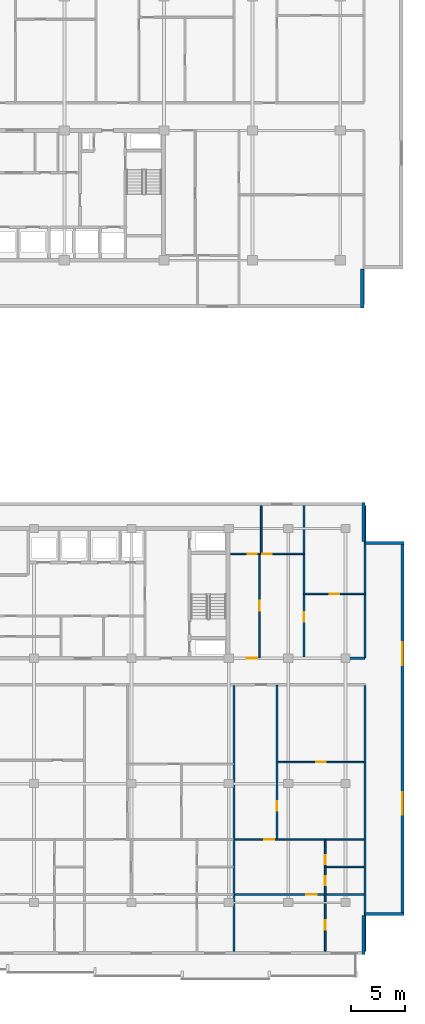
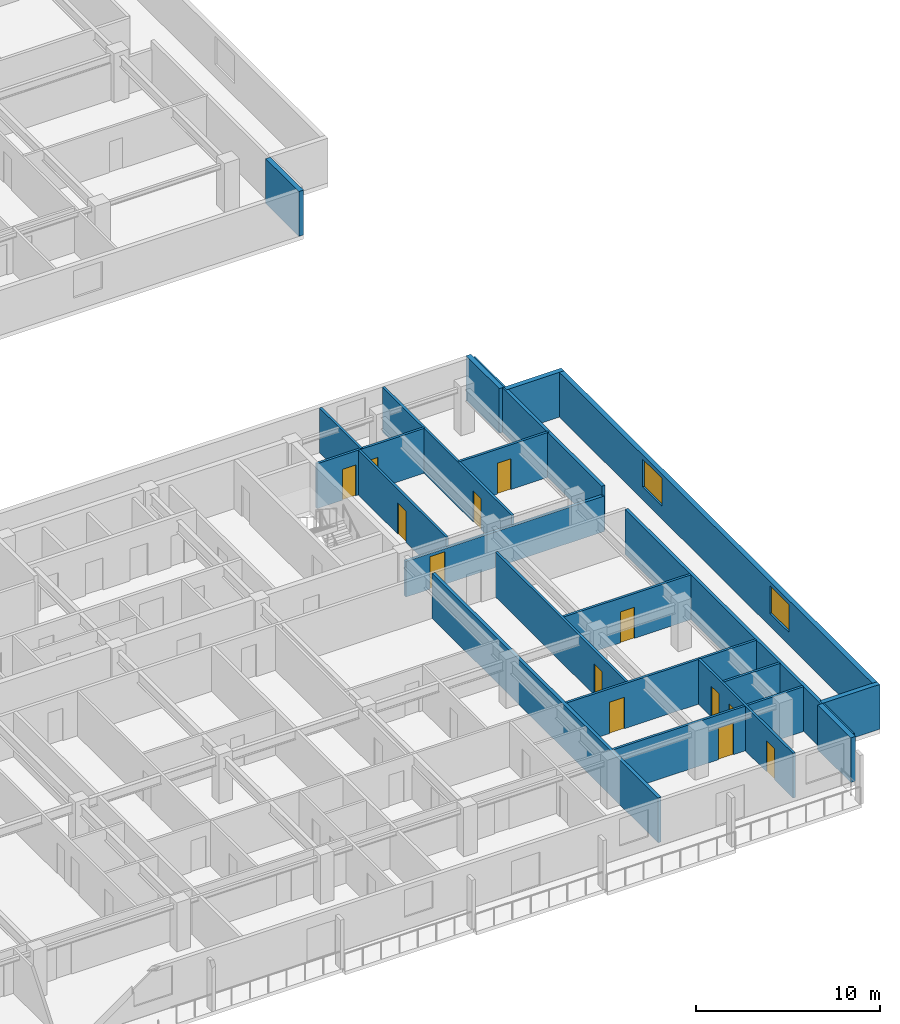
# One storey, part 10 of 22: 21 walls, 13 doors, 2 windows, 15 openings.
"""IFC4 building model written with IfcOpenShell, lengths in metres."""

from ifc_helpers import new_model, si_unit, direction, frame, frame_2d, origin, place, context, subcontext, project, spatial, rectangle, extrude, material, layer, layer_set, type_object, element, fill, save


model = new_model("IFC4")

# Units and contexts
model_context = context("Model", 3, precision=1e-05, world=origin(), true_north=direction((0.0, 1.0)))
body_context = subcontext(model_context, "Body", "Model", "MODEL_VIEW")
ifc_project = project(units=[si_unit("LENGTHUNIT", "METRE"), si_unit("AREAUNIT", "SQUARE_METRE"), si_unit("VOLUMEUNIT", "CUBIC_METRE"), si_unit("PLANEANGLEUNIT", "RADIAN"), si_unit("MASSUNIT", "GRAM", prefix="KILO")], contexts=[model_context])

# Site, building, storey
site_placement = place(None, origin())
site = spatial("IfcSite", under=ifc_project, at=site_placement, CompositionType="ELEMENT")
building_placement = place(site_placement, origin())
building = spatial("IfcBuilding", under=site, at=building_placement, Name="Korimba Cascade Residences", CompositionType="ELEMENT")
storey_placement = place(building_placement, frame((0.0, 0.0, 110.050048828125)))
storey = spatial("IfcBuildingStorey", under=building, at=storey_placement, Name="L31", CompositionType="ELEMENT", Elevation=110.050048828125)

# Walls
ifc_material_1 = material(Name="Precast concrete C40/50", Category="concrete")
ifc_layer_1 = layer(ifc_material_1, 0.300048828125)
ifc_layer_set_1 = layer_set([ifc_layer_1], Name="Precast concrete C40/50")
wall_type_1 = type_object("IfcWallType", Name="EW-STONE-300", PredefinedType="STANDARD", material=ifc_layer_set_1)
wall_1_placement = place(storey_placement, frame((130.449951171875, 50.800048828125, 0.0), z_axis=(0.0, 0.0, 1.0), x_axis=(0.0, 1.0, 0.0)))
element("IfcWall", 1, at=wall_1_placement, inside=storey, type_object=wall_type_1, Name="L31 T1 Perimeter Stone Wall E01", PredefinedType="STANDARD", context=body_context, shape_type="SweptSolid", body=[
    extrude(rectangle(XDim=3.599853515625, YDim=0.300048828125, at=frame_2d((1.7998046875, 0.0))), origin(), (0.0, 0.0, 1.0), 2.969970703125),
])
for number, where, z_axis, x_axis, name in (
    (2, (130.550048828125, -9.0, 0.0), (0.0, 0.0, 1.0), (0.0, 1.0, 0.0), "L31 T2 Perimeter Stone Wall E01"),
    (3, (130.699951171875, -5.25, 0.0), (0.0, 0.0, 1.0), (1.0, 0.0, 0.0), "L31 T2 Perimeter Stone Wall E02"),
):
    element("IfcWall", number, at=place(storey_placement, frame(where, z_axis=z_axis, x_axis=x_axis)), inside=storey, type_object=wall_type_1, Name=name, PredefinedType="STANDARD", context=body_context, shape_type="SweptSolid", body=[
        extrude(rectangle(XDim=3.60009765625, YDim=0.300048828125, at=frame_2d((1.800048828125, 0.0))), origin(), (0.0, 0.0, 1.0), 2.969970703125),
    ])

# Wall, openings, windows
wall_2_placement = place(storey_placement, frame((134.14990234375, -5.39990234375, 0.0), z_axis=(0.0, 0.0, 1.0), x_axis=(0.0, 1.0, 0.0)))
wall_2 = element("IfcWall", 4, at=wall_2_placement, inside=storey, type_object=wall_type_1, Name="L31 T2 Perimeter Stone Wall E03", PredefinedType="STANDARD", context=body_context, shape_type="SweptSolid", body=[
    extrude(rectangle(XDim=34.599853515625, YDim=0.300048828125, at=frame_2d((17.2998046875, 0.0))), origin(), (0.0, 0.0, 1.0), 2.969970703125),
])
opening_1_placement = place(wall_2_placement, frame((9.330078125, 0.0, 0.85009765625)))
opening_1 = element("IfcOpeningElement", 5, at=opening_1_placement, cuts=wall_2, Name="Opening W-03", PredefinedType="OPENING", context=body_context, shape_type="SweptSolid", body=[
    extrude(rectangle(XDim=2.10009765625, YDim=1.85009765625, at=frame_2d((1.050048828125, 0.925048828125))), frame((0.0, 0.16015625, 0.0), z_axis=(0.0, -1.0, 0.0), x_axis=(1.0, 0.0, 0.0)), (0.0, 0.0, 1.0), 0.320068359375),
])
opening_2_placement = place(wall_2_placement, frame((23.169921875, 0.0, 0.85009765625)))
opening_2 = element("IfcOpeningElement", 6, at=opening_2_placement, cuts=wall_2, Name="Opening W-03", PredefinedType="OPENING", context=body_context, shape_type="SweptSolid", body=[
    extrude(rectangle(XDim=2.10009765625, YDim=1.85009765625, at=frame_2d((1.050048828125, 0.925048828125))), frame((0.0, 0.16015625, 0.0), z_axis=(0.0, -1.0, 0.0), x_axis=(1.0, 0.0, 0.0)), (0.0, 0.0, 1.0), 0.320068359375),
])
ifc_material_2 = material(Name="Double-Glazed Aluminium Window", Category="aluminium")
window_type = type_object("IfcWindowType", Name="WIN-CRN-2100", PartitioningType="DOUBLE_PANEL_HORIZONTAL", PredefinedType="WINDOW", material=ifc_material_2)
window_1_placement = place(opening_1_placement, origin())
window_1 = element("IfcWindow", 7, at=window_1_placement, inside=storey, type_object=window_type, Name="L31 T2 End View Window 3.1", OverallHeight=1.85009765625, OverallWidth=2.10009765625, PartitioningType="DOUBLE_PANEL_HORIZONTAL", PredefinedType="WINDOW", context=body_context, shape_type="SweptSolid", body=[
    extrude(rectangle(XDim=2.10009765625, YDim=1.85009765625, at=frame_2d((1.050048828125, 0.925048828125))), frame((0.0, 0.030029296875, 0.0), z_axis=(0.0, -1.0, 0.0), x_axis=(1.0, 0.0, 0.0)), (0.0, 0.0, 1.0), 0.06005859375),
])
fill(opening_1, window_1)
window_2_placement = place(opening_2_placement, origin())
window_2 = element("IfcWindow", 8, at=window_2_placement, inside=storey, type_object=window_type, Name="L31 T2 End View Window 3.2", OverallHeight=1.85009765625, OverallWidth=2.10009765625, PartitioningType="DOUBLE_PANEL_HORIZONTAL", PredefinedType="WINDOW", context=body_context, shape_type="SweptSolid", body=[
    extrude(rectangle(XDim=2.10009765625, YDim=1.85009765625, at=frame_2d((1.050048828125, 0.925048828125))), frame((0.0, 0.030029296875, 0.0), z_axis=(0.0, -1.0, 0.0), x_axis=(1.0, 0.0, 0.0)), (0.0, 0.0, 1.0), 0.06005859375),
])
fill(opening_2, window_2)

# Walls
for number, where, z_axis, x_axis, name in (
    (9, (134.300048828125, 29.050048828125, 0.0), (0.0, 0.0, 1.0), (-1.0, 0.0, 0.0), "L31 T2 Perimeter Stone Wall E04"),
    (10, (130.550048828125, 29.199951171875, 0.0), (0.0, 0.0, 1.0), (0.0, 1.0, 0.0), "L31 T2 Perimeter Stone Wall E05"),
):
    element("IfcWall", number, at=place(storey_placement, frame(where, z_axis=z_axis, x_axis=x_axis)), inside=storey, type_object=wall_type_1, Name=name, PredefinedType="STANDARD", context=body_context, shape_type="SweptSolid", body=[
        extrude(rectangle(XDim=3.60009765625, YDim=0.300048828125, at=frame_2d((1.800048828125, 0.0))), origin(), (0.0, 0.0, 1.0), 2.969970703125),
    ])
ifc_layer_2 = layer(ifc_material_1, 0.199951171875)
ifc_layer_set_2 = layer_set([ifc_layer_2], Name="Precast concrete C40/50")
wall_type_2 = type_object("IfcWallType", Name="WAL-IT-200", PredefinedType="PARTITIONING", material=ifc_layer_set_2)
wall_3_placement = place(storey_placement, frame((130.699951171875, 18.39990234375, 0.0), z_axis=(0.0, 0.0, 1.0), x_axis=(0.0, 1.0, 0.0)))
element("IfcWall", 11, at=wall_3_placement, inside=storey, type_object=wall_type_2, Name="L31 Partition Wall WAL-L31-T2-FE-WR", PredefinedType="PARTITIONING", context=body_context, shape_type="SweptSolid", body=[
    extrude(rectangle(XDim=14.10009765625, YDim=0.199951171875, at=frame_2d((7.050048828125, 0.0))), origin(), (0.0, 0.0, 1.0), 2.969970703125),
])

# Wall, opening, door
wall_4_placement = place(storey_placement, frame((118.25, 18.39990234375, 0.0), z_axis=(0.0, 0.0, 1.0), x_axis=(1.0, 0.0, 0.0)))
wall_4 = element("IfcWall", 12, at=wall_4_placement, inside=storey, type_object=wall_type_2, Name="L31 Partition Wall WAL-L31-T2-FE-S", PredefinedType="PARTITIONING", context=body_context, shape_type="SweptSolid", body=[
    extrude(rectangle(XDim=12.449951171875, YDim=0.199951171875, at=frame_2d((6.22509765625, 0.0))), origin(), (0.0, 0.0, 1.0), 2.357666015625),
])
opening_3_placement = place(wall_4_placement, frame((1.510009765625, 0.0, 0.0)))
opening_3 = element("IfcOpeningElement", 13, at=opening_3_placement, cuts=wall_4, Name="Opening D-UN1", PredefinedType="OPENING", context=body_context, shape_type="SweptSolid", body=[
    extrude(rectangle(XDim=0.949951171875, YDim=2.14990234375, at=frame_2d((0.47509765625, 1.074951171875))), frame((0.0, 0.10986328125, 0.0), z_axis=(0.0, -1.0, 0.0), x_axis=(1.0, 0.0, 0.0)), (0.0, 0.0, 1.0), 0.219970703125),
])
ifc_material_3 = material(Name="Fire-Rated Hardwood Apartment Entrance Door", Category="wood")
door_type_1 = type_object("IfcDoorType", Name="DR-FD60-950", OperationType="NOTDEFINED", PredefinedType="DOOR", material=ifc_material_3)
door_1_placement = place(opening_3_placement, origin())
door_1 = element("IfcDoor", 14, at=door_1_placement, inside=storey, type_object=door_type_1, Name="L31-T2-FE Entrance Door", OperationType="SINGLE_SWING_RIGHT", OverallHeight=2.14990234375, OverallWidth=0.949951171875, PredefinedType="DOOR", context=body_context, shape_type="SweptSolid", body=[
    extrude(rectangle(XDim=0.949951171875, YDim=2.14990234375, at=frame_2d((0.47509765625, 1.074951171875))), frame((0.0, 0.02490234375, 0.0), z_axis=(0.0, -1.0, 0.0), x_axis=(1.0, 0.0, 0.0)), (0.0, 0.0, 1.0), 0.050048828125),
])
fill(opening_3, door_1)

# Walls
for number, where, z_axis, x_axis, name in (
    (15, (130.699951171875, -8.699951171875, 0.0), (0.0, 0.0, 1.0), (0.0, 1.0, 0.0), "L31 Partition Wall WAL-L31-T2-BNDWR"),
    (16, (118.583251953125, -8.699951171875, 0.0), (0.0, 0.0, 1.0), (0.0, 1.0, 0.0), "L31 Partition Wall WAL-L31-T2-DEM-3"),
):
    element("IfcWall", number, at=place(storey_placement, frame(where, z_axis=z_axis, x_axis=x_axis)), inside=storey, type_object=wall_type_2, Name=name, PredefinedType="PARTITIONING", context=body_context, shape_type="SweptSolid", body=[
        extrude(rectangle(XDim=24.570068359375, YDim=0.199951171875, at=frame_2d((12.28515625, 0.0))), origin(), (0.0, 0.0, 1.0), 2.969970703125),
    ])

# Wall, opening, door
ifc_material_4 = material(Name="Insulated Acoustic Stud Partition", Category="gypsum")
ifc_layer_3 = layer(ifc_material_4, 0.14990234375)
ifc_layer_set_3 = layer_set([ifc_layer_3], Name="Insulated Acoustic Stud Partition")
wall_type_3 = type_object("IfcWallType", Name="WAL-PART-150", PredefinedType="PARTITIONING", material=ifc_layer_set_3)
wall_5_placement = place(storey_placement, frame((125.050048828125, 24.35009765625, 0.0), z_axis=(0.0, 0.0, 1.0), x_axis=(1.0, 0.0, 0.0)))
wall_5 = element("IfcWall", 17, at=wall_5_placement, inside=storey, type_object=wall_type_3, Name="L31 Partition Wall WAL-L31-T2-FE-STH", PredefinedType="PARTITIONING", context=body_context, shape_type="SweptSolid", body=[
    extrude(rectangle(XDim=5.64990234375, YDim=0.14990234375, at=frame_2d((2.824951171875, 0.0))), origin(), (0.0, 0.0, 1.0), 2.969970703125),
])
opening_4_placement = place(wall_5_placement, frame((2.405029296875, 0.0, 0.0)))
opening_4 = element("IfcOpeningElement", 18, at=opening_4_placement, cuts=wall_5, Name="Opening D-BT1", PredefinedType="OPENING", context=body_context, shape_type="SweptSolid", body=[
    extrude(rectangle(XDim=0.840087890625, YDim=2.0400390625, at=frame_2d((0.419921875, 1.02001953125))), frame((0.0, 0.0849609375, 0.0), z_axis=(0.0, -1.0, 0.0), x_axis=(1.0, 0.0, 0.0)), (0.0, 0.0, 1.0), 0.169921875),
])
ifc_material_5 = material(Name="Moisture-Resistant Bathroom Timber Door", Category="wood")
door_type_2 = type_object("IfcDoorType", Name="DR-INT-850", OperationType="NOTDEFINED", PredefinedType="DOOR", material=ifc_material_5)
door_2_placement = place(opening_4_placement, origin())
door_2 = element("IfcDoor", 19, at=door_2_placement, inside=storey, type_object=door_type_2, Name="L31-T2-FE Dressing Store Door", OperationType="SINGLE_SWING_LEFT", OverallHeight=2.0400390625, OverallWidth=0.840087890625, PredefinedType="DOOR", context=body_context, shape_type="SweptSolid", body=[
    extrude(rectangle(XDim=0.840087890625, YDim=2.0400390625, at=frame_2d((0.419921875, 1.02001953125))), frame((0.0, 0.02490234375, 0.0), z_axis=(0.0, -1.0, 0.0), x_axis=(1.0, 0.0, 0.0)), (0.0, 0.0, 1.0), 0.050048828125),
])
fill(opening_4, door_2)

wall_6_placement = place(storey_placement, frame((125.050048828125, 18.449951171875, 0.0), z_axis=(0.0, 0.0, 1.0), x_axis=(0.0, 1.0, 0.0)))
wall_6 = element("IfcWall", 20, at=wall_6_placement, inside=storey, type_object=wall_type_3, Name="L31 Partition Wall WAL-L31-T2-FE-STV", PredefinedType="PARTITIONING", context=body_context, shape_type="SweptSolid", body=[
    extrude(rectangle(XDim=14.050048828125, YDim=0.14990234375, at=frame_2d((7.02490234375, 0.0))), origin(), (0.0, 0.0, 1.0), 2.969970703125),
])
opening_5_placement = place(wall_6_placement, frame((3.320068359375, 0.0, 0.0)))
opening_5 = element("IfcOpeningElement", 21, at=opening_5_placement, cuts=wall_6, Name="Opening D-IN2", PredefinedType="OPENING", context=body_context, shape_type="SweptSolid", body=[
    extrude(rectangle(XDim=0.8798828125, YDim=2.06005859375, at=frame_2d((0.43994140625, 1.030029296875))), frame((0.0, 0.0849609375, 0.0), z_axis=(0.0, -1.0, 0.0), x_axis=(1.0, 0.0, 0.0)), (0.0, 0.0, 1.0), 0.169921875),
])
ifc_material_6 = material(Name="Acoustic Timber Bedroom Door", Category="wood")
door_type_3 = type_object("IfcDoorType", Name="DR-INT-880", OperationType="NOTDEFINED", PredefinedType="DOOR", material=ifc_material_6)
door_3_placement = place(opening_5_placement, origin())
door_3 = element("IfcDoor", 22, at=door_3_placement, inside=storey, type_object=door_type_3, Name="L31-T2-FE Study Door", OperationType="SINGLE_SWING_RIGHT", OverallHeight=2.06005859375, OverallWidth=0.8798828125, PredefinedType="DOOR", context=body_context, shape_type="SweptSolid", body=[
    extrude(rectangle(XDim=0.8798828125, YDim=2.06005859375, at=frame_2d((0.43994140625, 1.030029296875))), frame((0.0, 0.02490234375, 0.0), z_axis=(0.0, -1.0, 0.0), x_axis=(1.0, 0.0, 0.0)), (0.0, 0.0, 1.0), 0.050048828125),
])
fill(opening_5, door_3)

wall_7_placement = place(storey_placement, frame((120.929931640625, 18.449951171875, 0.0), z_axis=(0.0, 0.0, 1.0), x_axis=(0.0, 1.0, 0.0)))
wall_7 = element("IfcWall", 23, at=wall_7_placement, inside=storey, type_object=wall_type_3, Name="L31 Partition Wall WAL-L31-T2-FE-VS", PredefinedType="PARTITIONING", context=body_context, shape_type="SweptSolid", body=[
    extrude(rectangle(XDim=9.60009765625, YDim=0.14990234375, at=frame_2d((4.800048828125, 0.0))), origin(), (0.0, 0.0, 1.0), 2.969970703125),
])
opening_6_placement = place(wall_7_placement, frame((4.340087890625, 0.0, 0.0)))
opening_6 = element("IfcOpeningElement", 24, at=opening_6_placement, cuts=wall_7, Name="Opening D-IN1", PredefinedType="OPENING", context=body_context, shape_type="SweptSolid", body=[
    extrude(rectangle(XDim=0.919921875, YDim=2.080078125, at=frame_2d((0.4599609375, 1.0400390625))), frame((0.0, 0.0849609375, 0.0), z_axis=(0.0, -1.0, 0.0), x_axis=(1.0, 0.0, 0.0)), (0.0, 0.0, 1.0), 0.169921875),
])
ifc_material_7 = material(Name="Acoustic Timber Living Door", Category="wood")
door_type_4 = type_object("IfcDoorType", Name="DR-INT-920", OperationType="NOTDEFINED", PredefinedType="DOOR", material=ifc_material_7)
door_4_placement = place(opening_6_placement, origin())
door_4 = element("IfcDoor", 25, at=door_4_placement, inside=storey, type_object=door_type_4, Name="L31-T2-FE Living Door", OperationType="SINGLE_SWING_LEFT", OverallHeight=2.080078125, OverallWidth=0.919921875, PredefinedType="DOOR", context=body_context, shape_type="SweptSolid", body=[
    extrude(rectangle(XDim=0.919921875, YDim=2.080078125, at=frame_2d((0.4599609375, 1.0400390625))), frame((0.0, 0.02490234375, 0.0), z_axis=(0.0, -1.0, 0.0), x_axis=(1.0, 0.0, 0.0)), (0.0, 0.0, 1.0), 0.050048828125),
])
fill(opening_6, door_4)

# Wall
wall_8_placement = place(storey_placement, frame((121.10009765625, 28.050048828125, 0.0), z_axis=(0.0, 0.0, 1.0), x_axis=(0.0, 1.0, 0.0)))
element("IfcWall", 26, at=wall_8_placement, inside=storey, type_object=wall_type_3, Name="L31 Partition Wall WAL-L31-T2-FE-VN", PredefinedType="PARTITIONING", context=body_context, shape_type="SweptSolid", body=[
    extrude(rectangle(XDim=4.449951171875, YDim=0.14990234375, at=frame_2d((2.22509765625, 0.0))), origin(), (0.0, 0.0, 1.0), 2.969970703125),
])

# Wall, openings, doors
wall_9_placement = place(storey_placement, frame((118.27001953125, 28.050048828125, 0.0), z_axis=(0.0, 0.0, 1.0), x_axis=(1.0, 0.0, 0.0)))
wall_9 = element("IfcWall", 27, at=wall_9_placement, inside=storey, type_object=wall_type_3, Name="L31 Partition Wall WAL-L31-T2-FE-H", PredefinedType="PARTITIONING", context=body_context, shape_type="SweptSolid", body=[
    extrude(rectangle(XDim=6.760009765625, YDim=0.14990234375, at=frame_2d((3.3798828125, 0.0))), origin(), (0.0, 0.0, 1.0), 2.969970703125),
])
opening_7_placement = place(wall_9_placement, frame((1.58740234375, 0.0, 0.0)))
opening_7 = element("IfcOpeningElement", 28, at=opening_7_placement, cuts=wall_9, Name="Opening D-BT1", PredefinedType="OPENING", context=body_context, shape_type="SweptSolid", body=[
    extrude(rectangle(XDim=0.840087890625, YDim=2.0400390625, at=frame_2d((0.419921875, 1.02001953125))), frame((0.0, 0.0849609375, 0.0), z_axis=(0.0, -1.0, 0.0), x_axis=(1.0, 0.0, 0.0)), (0.0, 0.0, 1.0), 0.169921875),
])
opening_8_placement = place(wall_9_placement, frame((2.93994140625, 0.0, 0.0)))
opening_8 = element("IfcOpeningElement", 29, at=opening_8_placement, cuts=wall_9, Name="Opening D-IN2", PredefinedType="OPENING", context=body_context, shape_type="SweptSolid", body=[
    extrude(rectangle(XDim=0.8798828125, YDim=2.06005859375, at=frame_2d((0.43994140625, 1.030029296875))), frame((0.0, 0.0849609375, 0.0), z_axis=(0.0, -1.0, 0.0), x_axis=(1.0, 0.0, 0.0)), (0.0, 0.0, 1.0), 0.169921875),
])
door_5_placement = place(opening_7_placement, origin())
door_5 = element("IfcDoor", 30, at=door_5_placement, inside=storey, type_object=door_type_2, Name="L31-T2-FE Bathroom Door", OperationType="SINGLE_SWING_RIGHT", OverallHeight=2.0400390625, OverallWidth=0.840087890625, PredefinedType="DOOR", context=body_context, shape_type="SweptSolid", body=[
    extrude(rectangle(XDim=0.840087890625, YDim=2.0400390625, at=frame_2d((0.419921875, 1.02001953125))), frame((0.0, 0.02490234375, 0.0), z_axis=(0.0, -1.0, 0.0), x_axis=(1.0, 0.0, 0.0)), (0.0, 0.0, 1.0), 0.050048828125),
])
fill(opening_7, door_5)
door_6_placement = place(opening_8_placement, origin())
door_6 = element("IfcDoor", 31, at=door_6_placement, inside=storey, type_object=door_type_3, Name="L31-T2-FE Bedroom Door", OperationType="SINGLE_SWING_LEFT", OverallHeight=2.06005859375, OverallWidth=0.8798828125, PredefinedType="DOOR", context=body_context, shape_type="SweptSolid", body=[
    extrude(rectangle(XDim=0.8798828125, YDim=2.06005859375, at=frame_2d((0.43994140625, 1.030029296875))), frame((0.0, 0.02490234375, 0.0), z_axis=(0.0, -1.0, 0.0), x_axis=(1.0, 0.0, 0.0)), (0.0, 0.0, 1.0), 0.050048828125),
])
fill(opening_8, door_6)

# Wall, opening, door
wall_10_placement = place(storey_placement, frame((122.61328125, 8.7900390625, 0.0), z_axis=(0.0, 0.0, 1.0), x_axis=(1.0, 0.0, 0.0)))
wall_10 = element("IfcWall", 32, at=wall_10_placement, inside=storey, type_object=wall_type_3, Name="L31 Partition Wall WAL-L31-T2-U04-FMH", PredefinedType="PARTITIONING", context=body_context, shape_type="SweptSolid", body=[
    extrude(rectangle(XDim=8.0068359375, YDim=0.14990234375, at=frame_2d((4.00341796875, 0.0))), origin(), (0.0, 0.0, 1.0), 2.969970703125),
])
opening_9_placement = place(wall_10_placement, frame((3.5634765625, 0.0, 0.0)))
opening_9 = element("IfcOpeningElement", 33, at=opening_9_placement, cuts=wall_10, Name="Opening D-IN2", PredefinedType="OPENING", context=body_context, shape_type="SweptSolid", body=[
    extrude(rectangle(XDim=0.8798828125, YDim=2.06005859375, at=frame_2d((0.43994140625, 1.030029296875))), frame((0.0, 0.0849609375, 0.0), z_axis=(0.0, -1.0, 0.0), x_axis=(1.0, 0.0, 0.0)), (0.0, 0.0, 1.0), 0.169921875),
])
door_7_placement = place(opening_9_placement, origin())
door_7 = element("IfcDoor", 34, at=door_7_placement, inside=storey, type_object=door_type_3, Name="L31-T2-U04 Library Salon Door", OperationType="SINGLE_SWING_LEFT", OverallHeight=2.06005859375, OverallWidth=0.8798828125, PredefinedType="DOOR", context=body_context, shape_type="SweptSolid", body=[
    extrude(rectangle(XDim=0.8798828125, YDim=2.06005859375, at=frame_2d((0.43994140625, 1.030029296875))), frame((0.0, 0.02490234375, 0.0), z_axis=(0.0, -1.0, 0.0), x_axis=(1.0, 0.0, 0.0)), (0.0, 0.0, 1.0), 0.050048828125),
])
fill(opening_9, door_7)

wall_11_placement = place(storey_placement, frame((122.55322265625, 1.68994140625, 0.0), z_axis=(0.0, 0.0, 1.0), x_axis=(0.0, 1.0, 0.0)))
wall_11 = element("IfcWall", 35, at=wall_11_placement, inside=storey, type_object=wall_type_3, Name="L31 Partition Wall WAL-L31-T2-U04-FV", PredefinedType="PARTITIONING", context=body_context, shape_type="SweptSolid", body=[
    extrude(rectangle(XDim=14.199951171875, YDim=0.14990234375, at=frame_2d((7.10009765625, 0.0))), origin(), (0.0, 0.0, 1.0), 2.969970703125),
])
opening_10_placement = place(wall_11_placement, frame((2.597900390625, 0.0, 0.0)))
opening_10 = element("IfcOpeningElement", 36, at=opening_10_placement, cuts=wall_11, Name="Opening D-IN2", PredefinedType="OPENING", context=body_context, shape_type="SweptSolid", body=[
    extrude(rectangle(XDim=0.8798828125, YDim=2.06005859375, at=frame_2d((0.43994140625, 1.030029296875))), frame((0.0, 0.0849609375, 0.0), z_axis=(0.0, -1.0, 0.0), x_axis=(1.0, 0.0, 0.0)), (0.0, 0.0, 1.0), 0.169921875),
])
door_8_placement = place(opening_10_placement, origin())
door_8 = element("IfcDoor", 37, at=door_8_placement, inside=storey, type_object=door_type_3, Name="L31-T2-U04 Media Lounge Door", OperationType="SINGLE_SWING_RIGHT", OverallHeight=2.06005859375, OverallWidth=0.8798828125, PredefinedType="DOOR", context=body_context, shape_type="SweptSolid", body=[
    extrude(rectangle(XDim=0.8798828125, YDim=2.06005859375, at=frame_2d((0.43994140625, 1.030029296875))), frame((0.0, 0.02490234375, 0.0), z_axis=(0.0, -1.0, 0.0), x_axis=(1.0, 0.0, 0.0)), (0.0, 0.0, 1.0), 0.050048828125),
])
fill(opening_10, door_8)

# Wall
wall_12_placement = place(storey_placement, frame((127.080078125, -0.889892578125, 0.0), z_axis=(0.0, 0.0, 1.0), x_axis=(1.0, 0.0, 0.0)))
element("IfcWall", 38, at=wall_12_placement, inside=storey, type_object=wall_type_3, Name="L31 Partition Wall WAL-L31-T2-U04-BLDIV", PredefinedType="PARTITIONING", context=body_context, shape_type="SweptSolid", body=[
    extrude(rectangle(XDim=3.5400390625, YDim=0.14990234375, at=frame_2d((1.77001953125, 0.0))), origin(), (0.0, 0.0, 1.0), 2.969970703125),
])

# Wall, openings, doors
wall_13_placement = place(storey_placement, frame((127.02001953125, -8.699951171875, 0.0), z_axis=(0.0, 0.0, 1.0), x_axis=(0.0, 1.0, 0.0)))
wall_13 = element("IfcWall", 39, at=wall_13_placement, inside=storey, type_object=wall_type_3, Name="L31 Partition Wall WAL-L31-T2-U04-V1", PredefinedType="PARTITIONING", context=body_context, shape_type="SweptSolid", body=[
    extrude(rectangle(XDim=10.31005859375, YDim=0.14990234375, at=frame_2d((5.155029296875, 0.0))), origin(), (0.0, 0.0, 1.0), 2.969970703125),
])
opening_11_placement = place(wall_13_placement, frame((6.120361328125, 0.0, 0.0)))
opening_11 = element("IfcOpeningElement", 40, at=opening_11_placement, cuts=wall_13, Name="Opening D-BT1", PredefinedType="OPENING", context=body_context, shape_type="SweptSolid", body=[
    extrude(rectangle(XDim=0.840087890625, YDim=2.0400390625, at=frame_2d((0.419921875, 1.02001953125))), frame((0.0, 0.0849609375, 0.0), z_axis=(0.0, -1.0, 0.0), x_axis=(1.0, 0.0, 0.0)), (0.0, 0.0, 1.0), 0.169921875),
])
opening_12_placement = place(wall_13_placement, frame((8.03955078125, 0.0, 0.0)))
opening_12 = element("IfcOpeningElement", 41, at=opening_12_placement, cuts=wall_13, Name="Opening D-BT1", PredefinedType="OPENING", context=body_context, shape_type="SweptSolid", body=[
    extrude(rectangle(XDim=0.840087890625, YDim=2.0400390625, at=frame_2d((0.419921875, 1.02001953125))), frame((0.0, 0.0849609375, 0.0), z_axis=(0.0, -1.0, 0.0), x_axis=(1.0, 0.0, 0.0)), (0.0, 0.0, 1.0), 0.169921875),
])
opening_13_placement = place(wall_13_placement, frame((2.001220703125, 0.0, 0.0)))
opening_13 = element("IfcOpeningElement", 42, at=opening_13_placement, cuts=wall_13, Name="Opening D-IN2", PredefinedType="OPENING", context=body_context, shape_type="SweptSolid", body=[
    extrude(rectangle(XDim=0.8798828125, YDim=2.06005859375, at=frame_2d((0.43994140625, 1.030029296875))), frame((0.0, 0.0849609375, 0.0), z_axis=(0.0, -1.0, 0.0), x_axis=(1.0, 0.0, 0.0)), (0.0, 0.0, 1.0), 0.169921875),
])
door_9_placement = place(opening_11_placement, origin())
door_9 = element("IfcDoor", 43, at=door_9_placement, inside=storey, type_object=door_type_2, Name="L31-T2-U04 Bathroom Door", OperationType="SINGLE_SWING_LEFT", OverallHeight=2.0400390625, OverallWidth=0.840087890625, PredefinedType="DOOR", context=body_context, shape_type="SweptSolid", body=[
    extrude(rectangle(XDim=0.840087890625, YDim=2.0400390625, at=frame_2d((0.419921875, 1.02001953125))), frame((0.0, 0.02490234375, 0.0), z_axis=(0.0, -1.0, 0.0), x_axis=(1.0, 0.0, 0.0)), (0.0, 0.0, 1.0), 0.050048828125),
])
fill(opening_11, door_9)
door_10_placement = place(opening_12_placement, origin())
door_10 = element("IfcDoor", 44, at=door_10_placement, inside=storey, type_object=door_type_2, Name="L31-T2-U04 Laundry Door", OperationType="SINGLE_SWING_RIGHT", OverallHeight=2.0400390625, OverallWidth=0.840087890625, PredefinedType="DOOR", context=body_context, shape_type="SweptSolid", body=[
    extrude(rectangle(XDim=0.840087890625, YDim=2.0400390625, at=frame_2d((0.419921875, 1.02001953125))), frame((0.0, 0.02490234375, 0.0), z_axis=(0.0, -1.0, 0.0), x_axis=(1.0, 0.0, 0.0)), (0.0, 0.0, 1.0), 0.050048828125),
])
fill(opening_12, door_10)
door_11_placement = place(opening_13_placement, origin())
door_11 = element("IfcDoor", 45, at=door_11_placement, inside=storey, type_object=door_type_3, Name="L31-T2-U04 Bedroom 1 Door", OperationType="SINGLE_SWING_LEFT", OverallHeight=2.06005859375, OverallWidth=0.8798828125, PredefinedType="DOOR", context=body_context, shape_type="SweptSolid", body=[
    extrude(rectangle(XDim=0.8798828125, YDim=2.06005859375, at=frame_2d((0.43994140625, 1.030029296875))), frame((0.0, 0.02490234375, 0.0), z_axis=(0.0, -1.0, 0.0), x_axis=(1.0, 0.0, 0.0)), (0.0, 0.0, 1.0), 0.050048828125),
])
fill(opening_13, door_11)

# Wall, opening, door
wall_14_placement = place(storey_placement, frame((118.663330078125, 1.64990234375, 0.0), z_axis=(0.0, 0.0, 1.0), x_axis=(1.0, 0.0, 0.0)))
wall_14 = element("IfcWall", 46, at=wall_14_placement, inside=storey, type_object=wall_type_3, Name="L31 Partition Wall WAL-L31-T2-U04-MW", PredefinedType="PARTITIONING", context=body_context, shape_type="SweptSolid", body=[
    extrude(rectangle(XDim=11.956787109375, YDim=0.14990234375, at=frame_2d((5.978515625, 0.0))), origin(), (0.0, 0.0, 1.0), 2.969970703125),
])
opening_14_placement = place(wall_14_placement, frame((2.719970703125, 0.0, 0.0)))
opening_14 = element("IfcOpeningElement", 47, at=opening_14_placement, cuts=wall_14, Name="Opening D-IN1", PredefinedType="OPENING", context=body_context, shape_type="SweptSolid", body=[
    extrude(rectangle(XDim=0.919921875, YDim=2.080078125, at=frame_2d((0.4599609375, 1.0400390625))), frame((0.0, 0.0849609375, 0.0), z_axis=(0.0, -1.0, 0.0), x_axis=(1.0, 0.0, 0.0)), (0.0, 0.0, 1.0), 0.169921875),
])
door_12_placement = place(opening_14_placement, origin())
door_12 = element("IfcDoor", 48, at=door_12_placement, inside=storey, type_object=door_type_4, Name="L31-T2-U04 Kitchen Archway Door", OperationType="SINGLE_SWING_RIGHT", OverallHeight=2.080078125, OverallWidth=0.919921875, PredefinedType="DOOR", context=body_context, shape_type="SweptSolid", body=[
    extrude(rectangle(XDim=0.919921875, YDim=2.080078125, at=frame_2d((0.4599609375, 1.0400390625))), frame((0.0, 0.02490234375, 0.0), z_axis=(0.0, -1.0, 0.0), x_axis=(1.0, 0.0, 0.0)), (0.0, 0.0, 1.0), 0.050048828125),
])
fill(opening_14, door_12)

wall_15_placement = place(storey_placement, frame((118.663330078125, -3.449951171875, 0.0), z_axis=(0.0, 0.0, 1.0), x_axis=(1.0, 0.0, 0.0)))
wall_15 = element("IfcWall", 49, at=wall_15_placement, inside=storey, type_object=wall_type_3, Name="L31 Partition Wall WAL-L31-T2-U04-HZ", PredefinedType="PARTITIONING", context=body_context, shape_type="SweptSolid", body=[
    extrude(rectangle(XDim=11.956787109375, YDim=0.14990234375, at=frame_2d((5.978515625, 0.0))), origin(), (0.0, 0.0, 1.0), 2.969970703125),
])
opening_15_placement = place(wall_15_placement, frame((6.61328125, 0.0, 0.0)))
opening_15 = element("IfcOpeningElement", 50, at=opening_15_placement, cuts=wall_15, Name="Opening D-IN0", PredefinedType="OPENING", context=body_context, shape_type="SweptSolid", body=[
    extrude(rectangle(XDim=0.93994140625, YDim=2.10009765625, at=frame_2d((0.469970703125, 1.050048828125))), frame((0.0, 0.0849609375, 0.0), z_axis=(0.0, -1.0, 0.0), x_axis=(1.0, 0.0, 0.0)), (0.0, 0.0, 1.0), 0.169921875),
])
ifc_material_8 = material(Name="Acoustic Timber Living Archway Door", Category="wood")
door_type_5 = type_object("IfcDoorType", Name="DR-INT-950", OperationType="NOTDEFINED", PredefinedType="DOOR", material=ifc_material_8)
door_13_placement = place(opening_15_placement, origin())
door_13 = element("IfcDoor", 51, at=door_13_placement, inside=storey, type_object=door_type_5, Name="L31-T2-U04 Living Archway Door", OperationType="SINGLE_SWING_LEFT", OverallHeight=2.10009765625, OverallWidth=0.93994140625, PredefinedType="DOOR", context=body_context, shape_type="SweptSolid", body=[
    extrude(rectangle(XDim=0.93994140625, YDim=2.10009765625, at=frame_2d((0.469970703125, 1.050048828125))), frame((0.0, 0.02490234375, 0.0), z_axis=(0.0, -1.0, 0.0), x_axis=(1.0, 0.0, 0.0)), (0.0, 0.0, 1.0), 0.050048828125),
])
fill(opening_15, door_13)

save(model, "model.ifc")
